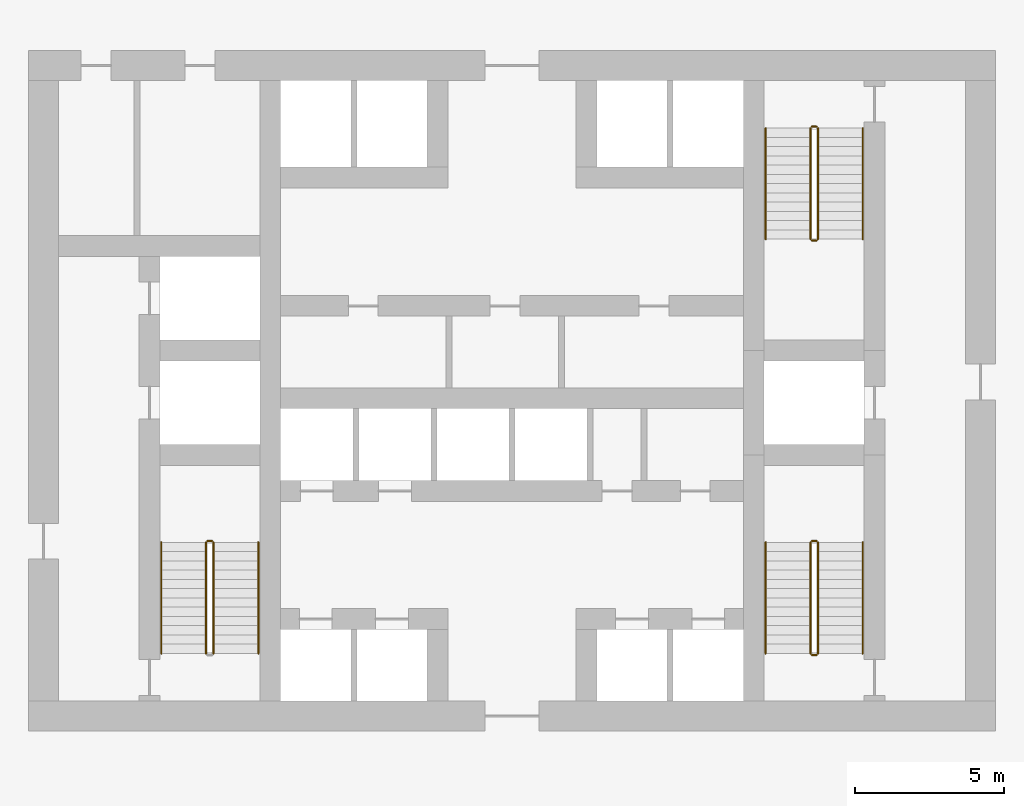
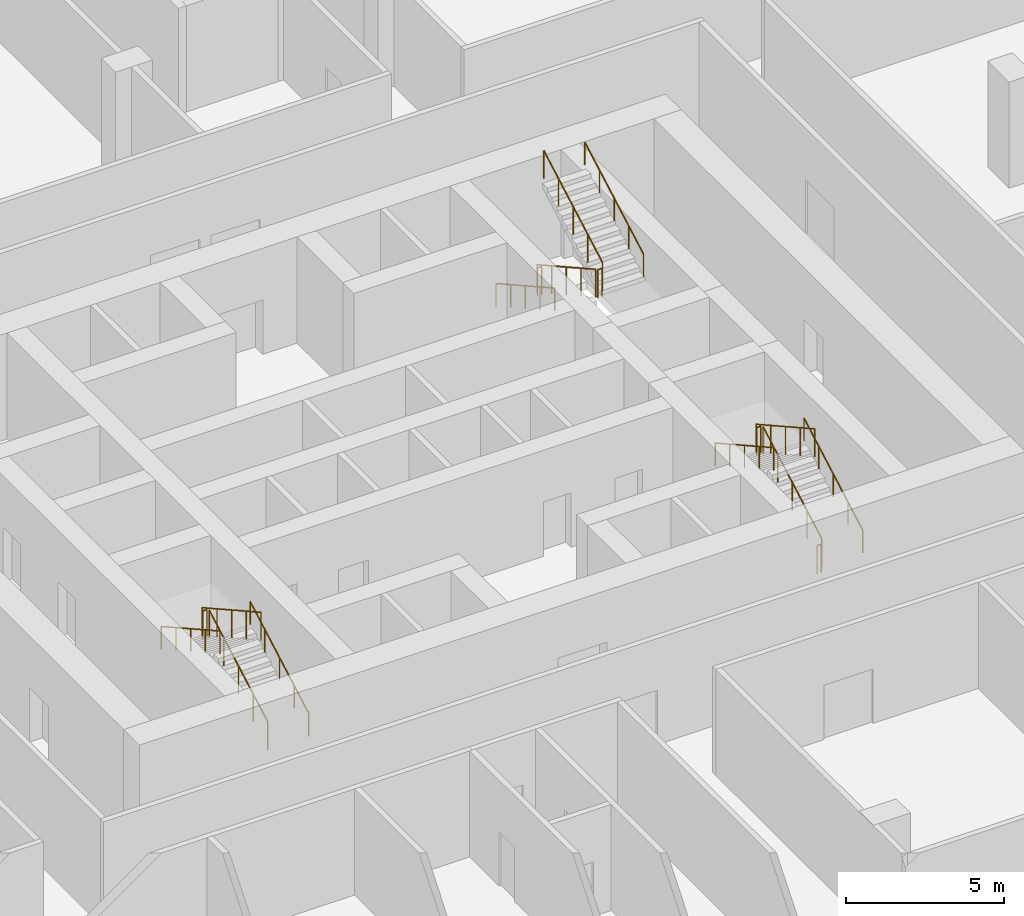
# One storey, part 30 of 32: 17 railings.
"""IFC4 building model written with IfcOpenShell, lengths in metres."""

from ifc_helpers import new_model, si_unit, direction, frame, origin, origin_2d, place, context, subcontext, project, spatial, circle, extrude, material, type_object, element, save


model = new_model("IFC4")

# Units and contexts
model_context = context("Model", 3, precision=1e-05, world=origin(), true_north=direction((0.0, 1.0)))
body_context = subcontext(model_context, "Body", "Model", "MODEL_VIEW")
ifc_project = project(units=[si_unit("LENGTHUNIT", "METRE"), si_unit("AREAUNIT", "SQUARE_METRE"), si_unit("VOLUMEUNIT", "CUBIC_METRE"), si_unit("PLANEANGLEUNIT", "RADIAN"), si_unit("MASSUNIT", "GRAM", prefix="KILO")], contexts=[model_context])

# Site, building, storey
site_placement = place(None, origin())
site = spatial("IfcSite", under=ifc_project, at=site_placement, CompositionType="ELEMENT")
building_placement = place(site_placement, origin())
building = spatial("IfcBuilding", under=site, at=building_placement, Name="Madar Terraces", CompositionType="ELEMENT")
storey_placement = place(building_placement, frame((0.0, 0.0, 19.5)))
storey = spatial("IfcBuildingStorey", under=building, at=storey_placement, Name="L04", CompositionType="ELEMENT", Elevation=19.5)

# Railings
ifc_material_1 = material(Name="Stainless steel railing", Category="steel")
railing_type_1 = type_object("IfcRailingType", Name="Stair guard 1100", PredefinedType="GUARDRAIL", material=ifc_material_1)
railing_1_placement = place(storey_placement, frame((21.199951171875, 17.60009765625, 0.173095703125)))
element("IfcRailing", 1, at=railing_1_placement, inside=storey, type_object=railing_type_1, Name="L04 ST1 stair guard 1", PredefinedType="GUARDRAIL", context=body_context, shape_type="SweptSolid", body=[
    extrude(circle(Radius=0.02392578125, at=origin_2d()), frame((0.0, 0.0, 1.076171875), z_axis=(0.0, 0.873133609054, 0.487480974747), x_axis=(-1.0, 0.0, 0.0)), (0.0, 0.0, 1.0), 4.260498046875),
    extrude(circle(Radius=0.02099609375, at=origin_2d()), origin(), (0.0, 0.0, 1.0), 1.052001953125),
    extrude(circle(Radius=0.02099609375, at=origin_2d()), frame((0.0, 0.929931640625, 0.519287109375)), (0.0, 0.0, 1.0), 1.052001953125),
    extrude(circle(Radius=0.02099609375, at=origin_2d()), frame((0.0, 1.85986328125, 1.03857421875)), (0.0, 0.0, 1.0), 1.052001953125),
    extrude(circle(Radius=0.02099609375, at=origin_2d()), frame((0.0, 2.7900390625, 1.5576171875)), (0.0, 0.0, 1.0), 1.052001953125),
    extrude(circle(Radius=0.02099609375, at=origin_2d()), frame((0.0, 3.719970703125, 2.076904296875)), (0.0, 0.0, 1.0), 1.052001953125),
])
railing_2_placement = place(storey_placement, frame((21.14990234375, 21.3701171875, 2.25)))
element("IfcRailing", 2, at=railing_2_placement, inside=storey, type_object=railing_type_1, Name="L04 ST1 stair guard 2", PredefinedType="GUARDRAIL", context=body_context, shape_type="SweptSolid", body=[
    extrude(circle(Radius=0.02392578125, at=origin_2d()), frame((0.0, 0.0, 1.076171875), z_axis=(-1.0, 0.0, 0.0), x_axis=(0.0, -1.0, 0.0)), (0.0, 0.0, 1.0), 0.14990234375),
    extrude(circle(Radius=0.02099609375, at=origin_2d()), origin(), (0.0, 0.0, 1.0), 1.052001953125),
    extrude(circle(Radius=0.02099609375, at=origin_2d()), frame((-0.14990234375, 0.0, 0.0)), (0.0, 0.0, 1.0), 1.052001953125),
])
for number, where, name in (
    (3, (20.949951171875, 21.320068359375, 2.423095703125), "L04 ST1 stair guard 3"),
    (4, (41.199951171875, 35.199951171875, 0.173095703125), "L04 ST2 stair guard 1"),
):
    element("IfcRailing", number, at=place(storey_placement, frame(where)), inside=storey, type_object=railing_type_1, Name=name, PredefinedType="GUARDRAIL", context=body_context, shape_type="SweptSolid", body=[
        extrude(circle(Radius=0.02392578125, at=origin_2d()), frame((0.0, 0.0, 1.076171875), z_axis=(0.0, -0.873133609054, 0.487480974747), x_axis=(1.0, 0.0, 0.0)), (0.0, 0.0, 1.0), 4.260498046875),
        extrude(circle(Radius=0.02099609375, at=origin_2d()), origin(), (0.0, 0.0, 1.0), 1.052001953125),
        extrude(circle(Radius=0.02099609375, at=origin_2d()), frame((0.0, -0.929931640625, 0.519287109375)), (0.0, 0.0, 1.0), 1.052001953125),
        extrude(circle(Radius=0.02099609375, at=origin_2d()), frame((0.0, -1.85986328125, 1.03857421875)), (0.0, 0.0, 1.0), 1.052001953125),
        extrude(circle(Radius=0.02099609375, at=origin_2d()), frame((0.0, -2.7900390625, 1.5576171875)), (0.0, 0.0, 1.0), 1.052001953125),
        extrude(circle(Radius=0.02099609375, at=origin_2d()), frame((0.0, -3.719970703125, 2.076904296875)), (0.0, 0.0, 1.0), 1.052001953125),
    ])
railing_3_placement = place(storey_placement, frame((41.25, 31.429931640625, 2.25)))
element("IfcRailing", 5, at=railing_3_placement, inside=storey, type_object=railing_type_1, Name="L04 ST2 stair guard 2", PredefinedType="GUARDRAIL", context=body_context, shape_type="SweptSolid", body=[
    extrude(circle(Radius=0.02392578125, at=origin_2d()), frame((0.0, 0.0, 1.076171875), z_axis=(1.0, 0.0, 0.0), x_axis=(0.0, 1.0, 0.0)), (0.0, 0.0, 1.0), 0.14990234375),
    extrude(circle(Radius=0.02099609375, at=origin_2d()), origin(), (0.0, 0.0, 1.0), 1.052001953125),
    extrude(circle(Radius=0.02099609375, at=origin_2d()), frame((0.14990234375, 0.0, 0.0)), (0.0, 0.0, 1.0), 1.052001953125),
])
railing_4_placement = place(storey_placement, frame((41.449951171875, 31.47998046875, 2.423095703125)))
element("IfcRailing", 6, at=railing_4_placement, inside=storey, type_object=railing_type_1, Name="L04 ST2 stair guard 3", PredefinedType="GUARDRAIL", context=body_context, shape_type="SweptSolid", body=[
    extrude(circle(Radius=0.02392578125, at=origin_2d()), frame((0.0, 0.0, 1.076171875), z_axis=(0.0, 0.873133609054, 0.487480974747), x_axis=(-1.0, 0.0, 0.0)), (0.0, 0.0, 1.0), 4.260498046875),
    extrude(circle(Radius=0.02099609375, at=origin_2d()), origin(), (0.0, 0.0, 1.0), 1.052001953125),
    extrude(circle(Radius=0.02099609375, at=origin_2d()), frame((0.0, 0.929931640625, 0.519287109375)), (0.0, 0.0, 1.0), 1.052001953125),
    extrude(circle(Radius=0.02099609375, at=origin_2d()), frame((0.0, 1.85986328125, 1.03857421875)), (0.0, 0.0, 1.0), 1.052001953125),
    extrude(circle(Radius=0.02099609375, at=origin_2d()), frame((0.0, 2.7900390625, 1.5576171875)), (0.0, 0.0, 1.0), 1.052001953125),
    extrude(circle(Radius=0.02099609375, at=origin_2d()), frame((0.0, 3.719970703125, 2.076904296875)), (0.0, 0.0, 1.0), 1.052001953125),
])
railing_5_placement = place(storey_placement, frame((41.25, 35.25, 0.0)))
element("IfcRailing", 7, at=railing_5_placement, inside=storey, type_object=railing_type_1, Name="L04 ST2 stair guard 4", PredefinedType="GUARDRAIL", context=body_context, shape_type="SweptSolid", body=[
    extrude(circle(Radius=0.02392578125, at=origin_2d()), frame((0.0, 0.0, 1.076171875), z_axis=(1.0, 0.0, 0.0), x_axis=(0.0, 1.0, 0.0)), (0.0, 0.0, 1.0), 0.14990234375),
    extrude(circle(Radius=0.02099609375, at=origin_2d()), origin(), (0.0, 0.0, 1.0), 1.052001953125),
    extrude(circle(Radius=0.02099609375, at=origin_2d()), frame((0.14990234375, 0.0, 0.0)), (0.0, 0.0, 1.0), 1.052001953125),
])
railing_6_placement = place(storey_placement, frame((41.449951171875, 17.60009765625, 0.173095703125)))
element("IfcRailing", 8, at=railing_6_placement, inside=storey, type_object=railing_type_1, Name="L04 ST3 stair guard 1", PredefinedType="GUARDRAIL", context=body_context, shape_type="SweptSolid", body=[
    extrude(circle(Radius=0.02392578125, at=origin_2d()), frame((0.0, 0.0, 1.076171875), z_axis=(0.0, 0.873133609054, 0.487480974747), x_axis=(-1.0, 0.0, 0.0)), (0.0, 0.0, 1.0), 4.260498046875),
    extrude(circle(Radius=0.02099609375, at=origin_2d()), origin(), (0.0, 0.0, 1.0), 1.052001953125),
    extrude(circle(Radius=0.02099609375, at=origin_2d()), frame((0.0, 0.929931640625, 0.519287109375)), (0.0, 0.0, 1.0), 1.052001953125),
    extrude(circle(Radius=0.02099609375, at=origin_2d()), frame((0.0, 1.85986328125, 1.03857421875)), (0.0, 0.0, 1.0), 1.052001953125),
    extrude(circle(Radius=0.02099609375, at=origin_2d()), frame((0.0, 2.7900390625, 1.5576171875)), (0.0, 0.0, 1.0), 1.052001953125),
    extrude(circle(Radius=0.02099609375, at=origin_2d()), frame((0.0, 3.719970703125, 2.076904296875)), (0.0, 0.0, 1.0), 1.052001953125),
])
railing_7_placement = place(storey_placement, frame((41.39990234375, 21.3701171875, 2.25)))
element("IfcRailing", 9, at=railing_7_placement, inside=storey, type_object=railing_type_1, Name="L04 ST3 stair guard 2", PredefinedType="GUARDRAIL", context=body_context, shape_type="SweptSolid", body=[
    extrude(circle(Radius=0.02392578125, at=origin_2d()), frame((0.0, 0.0, 1.076171875), z_axis=(-1.0, 0.0, 0.0), x_axis=(0.0, -1.0, 0.0)), (0.0, 0.0, 1.0), 0.14990234375),
    extrude(circle(Radius=0.02099609375, at=origin_2d()), origin(), (0.0, 0.0, 1.0), 1.052001953125),
    extrude(circle(Radius=0.02099609375, at=origin_2d()), frame((-0.14990234375, 0.0, 0.0)), (0.0, 0.0, 1.0), 1.052001953125),
])
railing_8_placement = place(storey_placement, frame((41.199951171875, 21.320068359375, 2.423095703125)))
element("IfcRailing", 10, at=railing_8_placement, inside=storey, type_object=railing_type_1, Name="L04 ST3 stair guard 3", PredefinedType="GUARDRAIL", context=body_context, shape_type="SweptSolid", body=[
    extrude(circle(Radius=0.02392578125, at=origin_2d()), frame((0.0, 0.0, 1.076171875), z_axis=(0.0, -0.873133609054, 0.487480974747), x_axis=(1.0, 0.0, 0.0)), (0.0, 0.0, 1.0), 4.260498046875),
    extrude(circle(Radius=0.02099609375, at=origin_2d()), origin(), (0.0, 0.0, 1.0), 1.052001953125),
    extrude(circle(Radius=0.02099609375, at=origin_2d()), frame((0.0, -0.929931640625, 0.519287109375)), (0.0, 0.0, 1.0), 1.052001953125),
    extrude(circle(Radius=0.02099609375, at=origin_2d()), frame((0.0, -1.85986328125, 1.03857421875)), (0.0, 0.0, 1.0), 1.052001953125),
    extrude(circle(Radius=0.02099609375, at=origin_2d()), frame((0.0, -2.7900390625, 1.5576171875)), (0.0, 0.0, 1.0), 1.052001953125),
    extrude(circle(Radius=0.02099609375, at=origin_2d()), frame((0.0, -3.719970703125, 2.076904296875)), (0.0, 0.0, 1.0), 1.052001953125),
])
railing_9_placement = place(storey_placement, frame((41.39990234375, 17.550048828125, 0.0)))
element("IfcRailing", 11, at=railing_9_placement, inside=storey, type_object=railing_type_1, Name="L04 ST3 stair guard 4", PredefinedType="GUARDRAIL", context=body_context, shape_type="SweptSolid", body=[
    extrude(circle(Radius=0.02392578125, at=origin_2d()), frame((0.0, 0.0, 1.076171875), z_axis=(-1.0, 0.0, 0.0), x_axis=(0.0, -1.0, 0.0)), (0.0, 0.0, 1.0), 0.14990234375),
    extrude(circle(Radius=0.02099609375, at=origin_2d()), origin(), (0.0, 0.0, 1.0), 1.052001953125),
    extrude(circle(Radius=0.02099609375, at=origin_2d()), frame((-0.14990234375, 0.0, 0.0)), (0.0, 0.0, 1.0), 1.052001953125),
])
ifc_material_2 = material(Name="Stainless steel railing", Category="steel")
railing_type_2 = type_object("IfcRailingType", Name="Stair handrail 900", PredefinedType="HANDRAIL", material=ifc_material_2)
railing_10_placement = place(storey_placement, frame((22.699951171875, 17.60009765625, 0.173095703125)))
element("IfcRailing", 12, at=railing_10_placement, inside=storey, type_object=railing_type_2, Name="L04 ST1 stair handrail 1", PredefinedType="HANDRAIL", context=body_context, shape_type="SweptSolid", body=[
    extrude(circle(Radius=0.02392578125, at=origin_2d()), frame((0.0, 0.0, 0.8759765625), z_axis=(0.0, 0.873133609054, 0.487480974747), x_axis=(-1.0, 0.0, 0.0)), (0.0, 0.0, 1.0), 4.260498046875),
    extrude(circle(Radius=0.02099609375, at=origin_2d()), origin(), (0.0, 0.0, 1.0), 0.851806640625),
    extrude(circle(Radius=0.02099609375, at=origin_2d()), frame((0.0, 0.929931640625, 0.519287109375)), (0.0, 0.0, 1.0), 0.851806640625),
    extrude(circle(Radius=0.02099609375, at=origin_2d()), frame((0.0, 1.85986328125, 1.03857421875)), (0.0, 0.0, 1.0), 0.851806640625),
    extrude(circle(Radius=0.02099609375, at=origin_2d()), frame((0.0, 2.7900390625, 1.5576171875)), (0.0, 0.0, 1.0), 0.851806640625),
    extrude(circle(Radius=0.02099609375, at=origin_2d()), frame((0.0, 3.719970703125, 2.076904296875)), (0.0, 0.0, 1.0), 0.851806640625),
])
for number, where, name in (
    (13, (19.449951171875, 21.320068359375, 2.423095703125), "L04 ST1 stair handrail 2"),
    (14, (39.699951171875, 35.199951171875, 0.173095703125), "L04 ST2 stair handrail 1"),
):
    element("IfcRailing", number, at=place(storey_placement, frame(where)), inside=storey, type_object=railing_type_2, Name=name, PredefinedType="HANDRAIL", context=body_context, shape_type="SweptSolid", body=[
        extrude(circle(Radius=0.02392578125, at=origin_2d()), frame((0.0, 0.0, 0.8759765625), z_axis=(0.0, -0.873133609054, 0.487480974747), x_axis=(1.0, 0.0, 0.0)), (0.0, 0.0, 1.0), 4.260498046875),
        extrude(circle(Radius=0.02099609375, at=origin_2d()), origin(), (0.0, 0.0, 1.0), 0.851806640625),
        extrude(circle(Radius=0.02099609375, at=origin_2d()), frame((0.0, -0.929931640625, 0.519287109375)), (0.0, 0.0, 1.0), 0.851806640625),
        extrude(circle(Radius=0.02099609375, at=origin_2d()), frame((0.0, -1.85986328125, 1.03857421875)), (0.0, 0.0, 1.0), 0.851806640625),
        extrude(circle(Radius=0.02099609375, at=origin_2d()), frame((0.0, -2.7900390625, 1.5576171875)), (0.0, 0.0, 1.0), 0.851806640625),
        extrude(circle(Radius=0.02099609375, at=origin_2d()), frame((0.0, -3.719970703125, 2.076904296875)), (0.0, 0.0, 1.0), 0.851806640625),
    ])
for number, where, name in (
    (15, (42.949951171875, 31.47998046875, 2.423095703125), "L04 ST2 stair handrail 2"),
    (16, (42.949951171875, 17.60009765625, 0.173095703125), "L04 ST3 stair handrail 1"),
):
    element("IfcRailing", number, at=place(storey_placement, frame(where)), inside=storey, type_object=railing_type_2, Name=name, PredefinedType="HANDRAIL", context=body_context, shape_type="SweptSolid", body=[
        extrude(circle(Radius=0.02392578125, at=origin_2d()), frame((0.0, 0.0, 0.8759765625), z_axis=(0.0, 0.873133609054, 0.487480974747), x_axis=(-1.0, 0.0, 0.0)), (0.0, 0.0, 1.0), 4.260498046875),
        extrude(circle(Radius=0.02099609375, at=origin_2d()), origin(), (0.0, 0.0, 1.0), 0.851806640625),
        extrude(circle(Radius=0.02099609375, at=origin_2d()), frame((0.0, 0.929931640625, 0.519287109375)), (0.0, 0.0, 1.0), 0.851806640625),
        extrude(circle(Radius=0.02099609375, at=origin_2d()), frame((0.0, 1.85986328125, 1.03857421875)), (0.0, 0.0, 1.0), 0.851806640625),
        extrude(circle(Radius=0.02099609375, at=origin_2d()), frame((0.0, 2.7900390625, 1.5576171875)), (0.0, 0.0, 1.0), 0.851806640625),
        extrude(circle(Radius=0.02099609375, at=origin_2d()), frame((0.0, 3.719970703125, 2.076904296875)), (0.0, 0.0, 1.0), 0.851806640625),
    ])
railing_11_placement = place(storey_placement, frame((39.699951171875, 21.320068359375, 2.423095703125)))
element("IfcRailing", 17, at=railing_11_placement, inside=storey, type_object=railing_type_2, Name="L04 ST3 stair handrail 2", PredefinedType="HANDRAIL", context=body_context, shape_type="SweptSolid", body=[
    extrude(circle(Radius=0.02392578125, at=origin_2d()), frame((0.0, 0.0, 0.8759765625), z_axis=(0.0, -0.873133609054, 0.487480974747), x_axis=(1.0, 0.0, 0.0)), (0.0, 0.0, 1.0), 4.260498046875),
    extrude(circle(Radius=0.02099609375, at=origin_2d()), origin(), (0.0, 0.0, 1.0), 0.851806640625),
    extrude(circle(Radius=0.02099609375, at=origin_2d()), frame((0.0, -0.929931640625, 0.519287109375)), (0.0, 0.0, 1.0), 0.851806640625),
    extrude(circle(Radius=0.02099609375, at=origin_2d()), frame((0.0, -1.85986328125, 1.03857421875)), (0.0, 0.0, 1.0), 0.851806640625),
    extrude(circle(Radius=0.02099609375, at=origin_2d()), frame((0.0, -2.7900390625, 1.5576171875)), (0.0, 0.0, 1.0), 0.851806640625),
    extrude(circle(Radius=0.02099609375, at=origin_2d()), frame((0.0, -3.719970703125, 2.076904296875)), (0.0, 0.0, 1.0), 0.851806640625),
])

save(model, "model.ifc")
